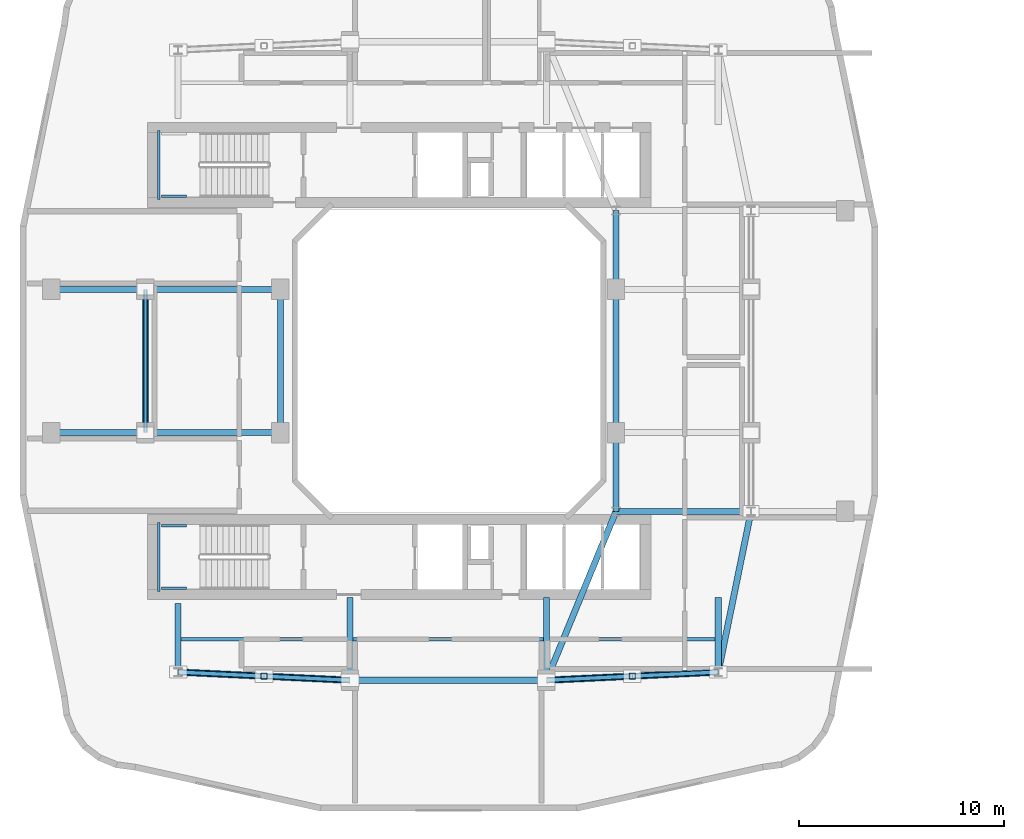
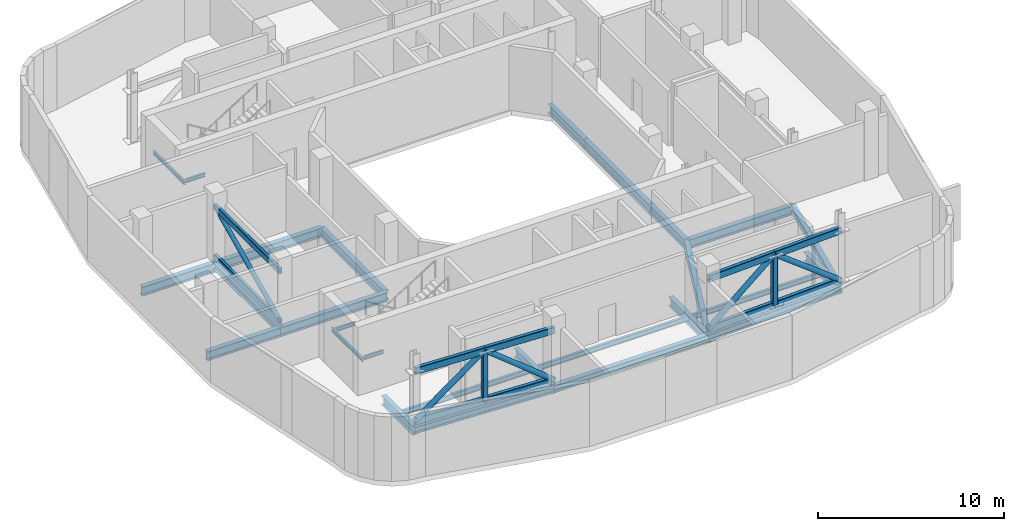
# One storey, part 3 of 18: 27 beams, 17 members.
"""IFC4 building model written with IfcOpenShell, lengths in metres."""

from ifc_helpers import new_model, si_unit, derived_unit, direction, frame, origin, origin_2d, place, context, subcontext, project, spatial, hollow_rectangle, hollow_circle, i_section, extrude, material, material_profile, profile_set, type_object, element, save


model = new_model("IFC4")

# Units and contexts
model_context = context("Model", 3, precision=1e-05, world=origin(), true_north=direction((0.0, 1.0)))
body_context = subcontext(model_context, "Body", "Model", "MODEL_VIEW")
ifc_project = project(units=[si_unit("LENGTHUNIT", "METRE"), si_unit("AREAUNIT", "SQUARE_METRE"), si_unit("VOLUMEUNIT", "CUBIC_METRE"), si_unit("PLANEANGLEUNIT", "RADIAN"), si_unit("MASSUNIT", "GRAM", prefix="KILO"), derived_unit("THERMALTRANSMITTANCEUNIT", [(si_unit("POWERUNIT", "WATT"), 1), (si_unit("LENGTHUNIT", "METRE"), -2), (si_unit("THERMODYNAMICTEMPERATUREUNIT", "KELVIN"), -1)])], contexts=[model_context])

# Site, building, storey
site_placement = place(None, origin())
site = spatial("IfcSite", under=ifc_project, at=site_placement, CompositionType="ELEMENT")
building_placement = place(site_placement, origin())
building = spatial("IfcBuilding", under=site, at=building_placement, Name="Kivonza Crest Hotel", CompositionType="ELEMENT")
storey_placement = place(building_placement, frame((0.0, 0.0, 90.5)))
storey = spatial("IfcBuildingStorey", under=building, at=storey_placement, Name="L24", CompositionType="ELEMENT", Elevation=90.5)

# Beams
ifc_material = material(Name="Steel S355", Category="steel")
ifc_material_profile_1 = material_profile(ifc_material, i_section(OverallWidth=0.300048828125, OverallDepth=0.449951171875, WebThickness=0.013916015625, FlangeThickness=0.02587890625, FilletRadius=0.027099609375, at=origin_2d()), Name="HEB 450")
ifc_profile_set_1 = profile_set([ifc_material_profile_1], Name="Steel S355")
beam_type_1 = type_object("IfcBeamType", Name="BM-HEB450", PredefinedType="SPANDREL", material=ifc_profile_set_1)
beam_1_placement = place(storey_placement, frame((16.199951171875, 9.39990234375, -0.544921875), z_axis=(1.0, 0.0, 0.0), x_axis=(0.0, 1.0, 0.0)))
element("IfcBeam", 1, at=beam_1_placement, inside=storey, type_object=beam_type_1, Name="Tower T1 L24 perimeter spandrel S1-S2", PredefinedType="SPANDREL", context=body_context, shape_type="SweptSolid", body=[
    extrude(i_section(OverallWidth=0.300048828125, OverallDepth=0.449951171875, WebThickness=0.013916015625, FlangeThickness=0.02587890625, FilletRadius=0.027099609375, at=origin_2d()), origin(), (0.0, 0.0, 1.0), 9.60009765625),
])
beam_2_placement = place(storey_placement, frame((25.800048828125, 9.39990234375, -0.544921875), z_axis=(0.998867283688, 0.047583080799, 0.0), x_axis=(-0.047583080799, 0.998867283688, 0.0)))
element("IfcBeam", 2, at=beam_2_placement, inside=storey, type_object=beam_type_1, Name="Tower T1 L24 perimeter spandrel S2-SE", PredefinedType="SPANDREL", context=body_context, shape_type="SweptSolid", body=[
    extrude(i_section(OverallWidth=0.300048828125, OverallDepth=0.449951171875, WebThickness=0.013916015625, FlangeThickness=0.02587890625, FilletRadius=0.027099609375, at=origin_2d()), origin(), (0.0, 0.0, 1.0), 8.409423828125),
])
beam_3_placement = place(storey_placement, frame((34.199951171875, 9.800048828125, -0.544921875), z_axis=(0.199730733965, 0.979850822273, 0.0), x_axis=(-0.979850822273, 0.199730733965, 0.0)))
element("IfcBeam", 3, at=beam_3_placement, inside=storey, type_object=beam_type_1, Name="Tower T1 L24 perimeter spandrel SE-PSE", PredefinedType="SPANDREL", context=body_context, shape_type="SweptSolid", body=[
    extrude(i_section(OverallWidth=0.300048828125, OverallDepth=0.449951171875, WebThickness=0.013916015625, FlangeThickness=0.02587890625, FilletRadius=0.027099609375, at=origin_2d()), origin(), (0.0, 0.0, 1.0), 8.01123046875),
])
beam_4_placement = place(storey_placement, frame((6.199951171875, 28.5, -0.544921875), z_axis=(0.0, -1.0, 0.0), x_axis=(1.0, 0.0, 0.0)))
element("IfcBeam", 4, at=beam_4_placement, inside=storey, type_object=beam_type_1, Name="Tower T1 L24 perimeter spandrel W2-W1", PredefinedType="SPANDREL", context=body_context, shape_type="SweptSolid", body=[
    extrude(i_section(OverallWidth=0.300048828125, OverallDepth=0.449951171875, WebThickness=0.013916015625, FlangeThickness=0.02587890625, FilletRadius=0.027099609375, at=origin_2d()), origin(), (0.0, 0.0, 1.0), 7.0),
])
beam_5_placement = place(storey_placement, frame((7.800048828125, 9.800048828125, -0.544921875), z_axis=(0.998867283688, -0.047583080799, 0.0), x_axis=(0.047583080799, 0.998867283688, 0.0)))
element("IfcBeam", 5, at=beam_5_placement, inside=storey, type_object=beam_type_1, Name="Tower T1 L24 perimeter spandrel SW-S1", PredefinedType="SPANDREL", context=body_context, shape_type="SweptSolid", body=[
    extrude(i_section(OverallWidth=0.300048828125, OverallDepth=0.449951171875, WebThickness=0.013916015625, FlangeThickness=0.02587890625, FilletRadius=0.027099609375, at=origin_2d()), origin(), (0.0, 0.0, 1.0), 8.409423828125),
])
ifc_material_profile_2 = material_profile(ifc_material, i_section(OverallWidth=0.300048828125, OverallDepth=0.60009765625, WebThickness=0.015380859375, FlangeThickness=0.030029296875, FilletRadius=0.027099609375, at=origin_2d()), Name="HEB 600")
ifc_profile_set_2 = profile_set([ifc_material_profile_2], Name="Steel S355")
beam_type_2 = type_object("IfcBeamType", Name="BM-HEB600", PredefinedType="BEAM", material=ifc_profile_set_2)
for number, where, z_axis, x_axis, name in (
    (6, (6.199951171875, 21.5, -0.6201171875), (1.0, 0.0, 0.0), (0.0, 1.0, 0.0), "Tower T1 L24 primary girder W1-WL1"),
    (7, (6.199951171875, 28.5, -0.6201171875), (1.0, 0.0, 0.0), (0.0, 1.0, 0.0), "Tower T1 L24 primary girder W2-WL2"),
):
    element("IfcBeam", number, at=place(storey_placement, frame(where, z_axis=z_axis, x_axis=x_axis)), inside=storey, type_object=beam_type_2, Name=name, PredefinedType="BEAM", context=body_context, shape_type="SweptSolid", body=[
        extrude(i_section(OverallWidth=0.300048828125, OverallDepth=0.60009765625, WebThickness=0.015380859375, FlangeThickness=0.030029296875, FilletRadius=0.027099609375, at=origin_2d()), origin(), (0.0, 0.0, 1.0), 6.60009765625),
    ])
beam_6_placement = place(storey_placement, frame((12.800048828125, 21.5, -0.6201171875), z_axis=(0.0, 1.0, 0.0), x_axis=(-1.0, 0.0, 0.0)))
element("IfcBeam", 8, at=beam_6_placement, inside=storey, type_object=beam_type_2, Name="Tower T1 L24 primary girder WL1-WL2", PredefinedType="BEAM", context=body_context, shape_type="SweptSolid", body=[
    extrude(i_section(OverallWidth=0.300048828125, OverallDepth=0.60009765625, WebThickness=0.015380859375, FlangeThickness=0.030029296875, FilletRadius=0.027099609375, at=origin_2d()), origin(), (0.0, 0.0, 1.0), 7.0),
])
beam_7_placement = place(storey_placement, frame((25.800048828125, 9.39990234375, -0.6201171875), z_axis=(0.381022260404, 0.924565864109, 0.0), x_axis=(-0.924565864109, 0.381022260404, 0.0)))
element("IfcBeam", 9, at=beam_7_placement, inside=storey, type_object=beam_type_2, Name="Tower T1 L24 primary girder S1-TSE", PredefinedType="BEAM", context=body_context, shape_type="SweptSolid", body=[
    extrude(i_section(OverallWidth=0.300048828125, OverallDepth=0.60009765625, WebThickness=0.015380859375, FlangeThickness=0.030029296875, FilletRadius=0.027099609375, at=origin_2d()), origin(), (0.0, 0.0, 1.0), 8.923095703125),
])
beam_8_placement = place(storey_placement, frame((29.199951171875, 17.64990234375, -0.6201171875), z_axis=(1.0, 0.0, 0.0), x_axis=(0.0, 1.0, 0.0)))
element("IfcBeam", 10, at=beam_8_placement, inside=storey, type_object=beam_type_2, Name="Tower T1 L24 primary girder TSE-PSE", PredefinedType="BEAM", context=body_context, shape_type="SweptSolid", body=[
    extrude(i_section(OverallWidth=0.300048828125, OverallDepth=0.60009765625, WebThickness=0.015380859375, FlangeThickness=0.030029296875, FilletRadius=0.027099609375, at=origin_2d()), origin(), (0.0, 0.0, 1.0), 6.60009765625),
])
beam_9_placement = place(storey_placement, frame((29.199951171875, 21.5, -0.6201171875), z_axis=(0.0, 1.0, 0.0), x_axis=(-1.0, 0.0, 0.0)))
element("IfcBeam", 11, at=beam_9_placement, inside=storey, type_object=beam_type_2, Name="Tower T1 L24 primary girder WR1-WR2", PredefinedType="BEAM", context=body_context, shape_type="SweptSolid", body=[
    extrude(i_section(OverallWidth=0.300048828125, OverallDepth=0.60009765625, WebThickness=0.015380859375, FlangeThickness=0.030029296875, FilletRadius=0.027099609375, at=origin_2d()), origin(), (0.0, 0.0, 1.0), 7.0),
])
for number, where, z_axis, x_axis, name in (
    (12, (29.199951171875, 17.64990234375, -0.6201171875), (0.0, 1.0, 0.0), (-1.0, 0.0, 0.0), "Tower T1 L24 primary girder TSE-WR1"),
    (13, (29.199951171875, 28.5, -0.6201171875), (0.0, 1.0, 0.0), (-1.0, 0.0, 0.0), "Tower T1 L24 primary girder WR2-TNE"),
):
    element("IfcBeam", number, at=place(storey_placement, frame(where, z_axis=z_axis, x_axis=x_axis)), inside=storey, type_object=beam_type_2, Name=name, PredefinedType="BEAM", context=body_context, shape_type="SweptSolid", body=[
        extrude(i_section(OverallWidth=0.300048828125, OverallDepth=0.60009765625, WebThickness=0.015380859375, FlangeThickness=0.030029296875, FilletRadius=0.027099609375, at=origin_2d()), origin(), (0.0, 0.0, 1.0), 3.85009765625),
    ])
for number, where, z_axis, x_axis, name in (
    (14, (1.60009765625, 21.5, -0.6201171875), (1.0, 0.0, 0.0), (0.0, 1.0, 0.0), "Tower T1 L24 outer bay girder ZW1"),
    (15, (1.60009765625, 28.5, -0.6201171875), (1.0, 0.0, 0.0), (0.0, 1.0, 0.0), "Tower T1 L24 outer bay girder ZW2"),
):
    element("IfcBeam", number, at=place(storey_placement, frame(where, z_axis=z_axis, x_axis=x_axis)), inside=storey, type_object=beam_type_2, Name=name, PredefinedType="BEAM", context=body_context, shape_type="SweptSolid", body=[
        extrude(i_section(OverallWidth=0.300048828125, OverallDepth=0.60009765625, WebThickness=0.015380859375, FlangeThickness=0.030029296875, FilletRadius=0.027099609375, at=origin_2d()), origin(), (0.0, 0.0, 1.0), 4.599853515625),
    ])
beam_10_placement = place(storey_placement, frame((7.800048828125, 9.800048828125, -0.6201171875), z_axis=(0.0, 1.0, 0.0), x_axis=(-1.0, 0.0, 0.0)))
element("IfcBeam", 16, at=beam_10_placement, inside=storey, type_object=beam_type_2, Name="Tower T1 L24 radial core girder RSW", PredefinedType="BEAM", context=body_context, shape_type="SweptSolid", body=[
    extrude(i_section(OverallWidth=0.300048828125, OverallDepth=0.60009765625, WebThickness=0.015380859375, FlangeThickness=0.030029296875, FilletRadius=0.027099609375, at=origin_2d()), origin(), (0.0, 0.0, 1.0), 3.349853515625),
])
for number, where, z_axis, x_axis, name in (
    (17, (16.199951171875, 9.39990234375, -0.6201171875), (0.0, 1.0, 0.0), (-1.0, 0.0, 0.0), "Tower T1 L24 radial core girder RS1"),
    (18, (25.800048828125, 9.39990234375, -0.6201171875), (0.0, 1.0, 0.0), (-1.0, 0.0, 0.0), "Tower T1 L24 radial core girder RS2"),
):
    element("IfcBeam", number, at=place(storey_placement, frame(where, z_axis=z_axis, x_axis=x_axis)), inside=storey, type_object=beam_type_2, Name=name, PredefinedType="BEAM", context=body_context, shape_type="SweptSolid", body=[
        extrude(i_section(OverallWidth=0.300048828125, OverallDepth=0.60009765625, WebThickness=0.015380859375, FlangeThickness=0.030029296875, FilletRadius=0.027099609375, at=origin_2d()), origin(), (0.0, 0.0, 1.0), 4.050048828125),
    ])
beam_11_placement = place(storey_placement, frame((34.199951171875, 9.800048828125, -0.6201171875), z_axis=(0.0, 1.0, 0.0), x_axis=(-1.0, 0.0, 0.0)))
element("IfcBeam", 19, at=beam_11_placement, inside=storey, type_object=beam_type_2, Name="Tower T1 L24 radial core girder RSE", PredefinedType="BEAM", context=body_context, shape_type="SweptSolid", body=[
    extrude(i_section(OverallWidth=0.300048828125, OverallDepth=0.60009765625, WebThickness=0.015380859375, FlangeThickness=0.030029296875, FilletRadius=0.027099609375, at=origin_2d()), origin(), (0.0, 0.0, 1.0), 3.64990234375),
])
ifc_material_profile_3 = material_profile(ifc_material, i_section(OverallWidth=0.159912109375, OverallDepth=0.330078125, WebThickness=0.007568359375, FlangeThickness=0.011474609375, FilletRadius=0.01806640625, at=origin_2d()), Name="IPE 330")
ifc_profile_set_3 = profile_set([ifc_material_profile_3], Name="Steel S355")
beam_type_3 = type_object("IfcBeamType", Name="BM-IPE330", PredefinedType="JOIST", material=ifc_profile_set_3)
beam_12_placement = place(storey_placement, frame((7.8798828125, 11.39990234375, -0.485107421875), z_axis=(1.0, 0.0, 0.0), x_axis=(0.0, 1.0, 0.0)))
element("IfcBeam", 20, at=beam_12_placement, inside=storey, type_object=beam_type_3, Name="Tower T1 L24 South-West floor joist", PredefinedType="JOIST", context=body_context, shape_type="SweptSolid", body=[
    extrude(i_section(OverallWidth=0.159912109375, OverallDepth=0.330078125, WebThickness=0.007568359375, FlangeThickness=0.011474609375, FilletRadius=0.01806640625, at=origin_2d()), origin(), (0.0, 0.0, 1.0), 8.240234375),
])
beam_13_placement = place(storey_placement, frame((16.280029296875, 11.39990234375, -0.485107421875), z_axis=(1.0, 0.0, 0.0), x_axis=(0.0, 1.0, 0.0)))
element("IfcBeam", 21, at=beam_13_placement, inside=storey, type_object=beam_type_3, Name="Tower T1 L24 South-Mid floor joist", PredefinedType="JOIST", context=body_context, shape_type="SweptSolid", body=[
    extrude(i_section(OverallWidth=0.159912109375, OverallDepth=0.330078125, WebThickness=0.007568359375, FlangeThickness=0.011474609375, FilletRadius=0.01806640625, at=origin_2d()), origin(), (0.0, 0.0, 1.0), 9.43994140625),
])
beam_14_placement = place(storey_placement, frame((25.8798828125, 11.39990234375, -0.485107421875), z_axis=(1.0, 0.0, 0.0), x_axis=(0.0, 1.0, 0.0)))
element("IfcBeam", 22, at=beam_14_placement, inside=storey, type_object=beam_type_3, Name="Tower T1 L24 South-East floor joist", PredefinedType="JOIST", context=body_context, shape_type="SweptSolid", body=[
    extrude(i_section(OverallWidth=0.159912109375, OverallDepth=0.330078125, WebThickness=0.007568359375, FlangeThickness=0.011474609375, FilletRadius=0.01806640625, at=origin_2d()), origin(), (0.0, 0.0, 1.0), 8.240234375),
])
ifc_material_profile_4 = material_profile(ifc_material, i_section(OverallWidth=0.1201171875, OverallDepth=0.239990234375, WebThickness=0.006103515625, FlangeThickness=0.009765625, FilletRadius=0.014892578125, at=origin_2d()), Name="IPE 240")
ifc_profile_set_4 = profile_set([ifc_material_profile_4], Name="Steel S355")
beam_type_4 = type_object("IfcBeamType", Name="BM-LLDG-240", PredefinedType="BEAM", material=ifc_profile_set_4)
beam_15_placement = place(storey_placement, frame((6.860107421875, 32.89990234375, 1.929931640625), z_axis=(0.0, 1.0, 0.0), x_axis=(-1.0, 0.0, 0.0)))
element("IfcBeam", 23, at=beam_15_placement, inside=storey, type_object=beam_type_4, Name="Stair ST-T1-N L24 West landing corbel", PredefinedType="BEAM", context=body_context, shape_type="SweptSolid", body=[
    extrude(i_section(OverallWidth=0.1201171875, OverallDepth=0.239990234375, WebThickness=0.006103515625, FlangeThickness=0.009765625, FilletRadius=0.014892578125, at=origin_2d()), origin(), (0.0, 0.0, 1.0), 3.360107421875),
])
beam_16_placement = place(storey_placement, frame((6.989990234375, 33.06005859375, 1.929931640625), z_axis=(1.0, 0.0, 0.0), x_axis=(0.0, 1.0, 0.0)))
element("IfcBeam", 24, at=beam_16_placement, inside=storey, type_object=beam_type_4, Name="Stair ST-T1-N L24 South landing corbel", PredefinedType="BEAM", context=body_context, shape_type="SweptSolid", body=[
    extrude(i_section(OverallWidth=0.1201171875, OverallDepth=0.239990234375, WebThickness=0.006103515625, FlangeThickness=0.009765625, FilletRadius=0.014892578125, at=origin_2d()), origin(), (0.0, 0.0, 1.0), 1.2099609375),
])
beam_17_placement = place(storey_placement, frame((6.860107421875, 13.739990234375, 1.929931640625), z_axis=(0.0, 1.0, 0.0), x_axis=(-1.0, 0.0, 0.0)))
element("IfcBeam", 25, at=beam_17_placement, inside=storey, type_object=beam_type_4, Name="Stair ST-T1-S L24 West landing corbel", PredefinedType="BEAM", context=body_context, shape_type="SweptSolid", body=[
    extrude(i_section(OverallWidth=0.1201171875, OverallDepth=0.239990234375, WebThickness=0.006103515625, FlangeThickness=0.009765625, FilletRadius=0.014892578125, at=origin_2d()), origin(), (0.0, 0.0, 1.0), 3.360107421875),
])
for number, where, z_axis, x_axis, name in (
    (26, (6.989990234375, 13.89990234375, 1.929931640625), (1.0, 0.0, 0.0), (0.0, 1.0, 0.0), "Stair ST-T1-S L24 South landing corbel"),
    (27, (6.989990234375, 16.93994140625, 1.929931640625), (1.0, 0.0, 0.0), (0.0, 1.0, 0.0), "Stair ST-T1-S L24 North landing corbel"),
):
    element("IfcBeam", number, at=place(storey_placement, frame(where, z_axis=z_axis, x_axis=x_axis)), inside=storey, type_object=beam_type_4, Name=name, PredefinedType="BEAM", context=body_context, shape_type="SweptSolid", body=[
        extrude(i_section(OverallWidth=0.1201171875, OverallDepth=0.239990234375, WebThickness=0.006103515625, FlangeThickness=0.009765625, FilletRadius=0.014892578125, at=origin_2d()), origin(), (0.0, 0.0, 1.0), 1.2099609375),
    ])

# Members
ifc_material_profile_5 = material_profile(ifc_material, hollow_circle(Radius=0.136474609375, WallThickness=0.012451171875, at=origin_2d()), Name="CHS 273x12.5")
ifc_profile_set_5 = profile_set([ifc_material_profile_5], Name="Steel S355")
member_type_1 = type_object("IfcMemberType", Name="MB-BRACE-CHS273", PredefinedType="BRACE", material=ifc_profile_set_5)
member_placement = place(storey_placement, frame((6.199951171875, 21.5, 0.0), z_axis=(0.0, 0.90452320938, 0.426424393875), x_axis=(-1.0, 0.0, 0.0)))
element("IfcMember", 28, at=member_placement, inside=storey, type_object=member_type_1, Name="Belt truss L24 W diagonal brace 1", PredefinedType="BRACE", context=body_context, shape_type="SweptSolid", body=[
    extrude(hollow_circle(Radius=0.136474609375, WallThickness=0.012451171875, at=origin_2d()), origin(), (0.0, 0.0, 1.0), 7.73876953125),
])
ifc_material_profile_6 = material_profile(ifc_material, hollow_circle(Radius=0.161865234375, WallThickness=0.01611328125, at=origin_2d()), Name="CHS 323.9x16")
ifc_profile_set_6 = profile_set([ifc_material_profile_6], Name="Steel S355")
member_type_2 = type_object("IfcMemberType", Name="MB-BRACE-CHS324", PredefinedType="BRACE", material=ifc_profile_set_6)
for number, where, z_axis, x_axis, name in (
    (29, (16.199951171875, 9.39990234375, 0.0), (-0.785758694228, 0.037454056227, 0.617398143921), (-0.047612046782, -0.998865903413, 0.0), "Outrigger truss L24 SW diagonal brace 1"),
    (30, (12.0, 9.60009765625, 3.300048828125), (-0.78576003764, 0.037408444505, -0.617399199487), (-0.047554114695, -0.998868663126, 0.0), "Outrigger truss L24 SW diagonal brace 2"),
    (31, (25.800048828125, 9.39990234375, 0.0), (0.785758694228, 0.037454056227, 0.617398143921), (-0.047612046782, 0.998865903413, 0.0), "Outrigger truss L24 SE diagonal brace 1"),
    (32, (30.0, 9.60009765625, 3.300048828125), (0.78576003764, 0.037408444505, -0.617399199487), (-0.047554114695, 0.998868663126, 0.0), "Outrigger truss L24 SE diagonal brace 2"),
):
    element("IfcMember", number, at=place(storey_placement, frame(where, z_axis=z_axis, x_axis=x_axis)), inside=storey, type_object=member_type_2, Name=name, PredefinedType="BRACE", context=body_context, shape_type="SweptSolid", body=[
        extrude(hollow_circle(Radius=0.161865234375, WallThickness=0.01611328125, at=origin_2d()), origin(), (0.0, 0.0, 1.0), 5.344970703125),
    ])
ifc_material_profile_7 = material_profile(ifc_material, hollow_rectangle(XDim=0.199951171875, YDim=0.39990234375, WallThickness=0.01611328125, InnerFilletRadius=0.02392578125, OuterFilletRadius=0.0400390625, at=origin_2d()), Name="RHS 400x200x16")
ifc_profile_set_7 = profile_set([ifc_material_profile_7], Name="Steel S355")
member_type_3 = type_object("IfcMemberType", Name="MB-CHORD-RHS400", PredefinedType="CHORD", material=ifc_profile_set_7)
for number, where, z_axis, x_axis, name in (
    (33, (6.199951171875, 21.5, 0.0), (0.0, 1.0, 0.0), (-1.0, 0.0, 0.0), "Belt truss L24 W bottom chord 1"),
    (34, (6.199951171875, 21.5, 3.300048828125), (0.0, 1.0, 0.0), (-1.0, 0.0, 0.0), "Belt truss L24 W top chord 1"),
):
    element("IfcMember", number, at=place(storey_placement, frame(where, z_axis=z_axis, x_axis=x_axis)), inside=storey, type_object=member_type_3, Name=name, PredefinedType="CHORD", context=body_context, shape_type="SweptSolid", body=[
        extrude(hollow_rectangle(XDim=0.199951171875, YDim=0.39990234375, WallThickness=0.01611328125, InnerFilletRadius=0.02392578125, OuterFilletRadius=0.0400390625, at=origin_2d()), origin(), (0.0, 0.0, 1.0), 7.0),
    ])
ifc_material_profile_8 = material_profile(ifc_material, hollow_rectangle(XDim=0.25, YDim=0.449951171875, WallThickness=0.01611328125, InnerFilletRadius=0.02392578125, OuterFilletRadius=0.0400390625, at=origin_2d()), Name="RHS 450x250x16")
ifc_profile_set_8 = profile_set([ifc_material_profile_8], Name="Steel S355")
member_type_4 = type_object("IfcMemberType", Name="MB-CHORD-RHS450", PredefinedType="CHORD", material=ifc_profile_set_8)
for number, where, z_axis, x_axis, name in (
    (35, (16.199951171875, 9.39990234375, 0.0), (-0.998865903413, 0.047612046782, 0.0), (-0.047612046782, -0.998865903413, 0.0), "Outrigger truss L24 SW bottom chord 1"),
    (36, (16.199951171875, 9.39990234375, 3.300048828125), (-0.998865903413, 0.047612046782, 0.0), (-0.047612046782, -0.998865903413, 0.0), "Outrigger truss L24 SW top chord 1"),
):
    element("IfcMember", number, at=place(storey_placement, frame(where, z_axis=z_axis, x_axis=x_axis)), inside=storey, type_object=member_type_4, Name=name, PredefinedType="CHORD", context=body_context, shape_type="SweptSolid", body=[
        extrude(hollow_rectangle(XDim=0.25, YDim=0.449951171875, WallThickness=0.01611328125, InnerFilletRadius=0.02392578125, OuterFilletRadius=0.0400390625, at=origin_2d()), origin(), (0.0, 0.0, 1.0), 4.204833984375),
    ])
for number, where, z_axis, x_axis, name in (
    (37, (12.0, 9.60009765625, 0.0), (-0.998868663126, 0.047554114695, 0.0), (-0.047554114695, -0.998868663126, 0.0), "Outrigger truss L24 SW bottom chord 2"),
    (38, (12.0, 9.60009765625, 3.300048828125), (-0.998868663126, 0.047554114695, 0.0), (-0.047554114695, -0.998868663126, 0.0), "Outrigger truss L24 SW top chord 2"),
):
    element("IfcMember", number, at=place(storey_placement, frame(where, z_axis=z_axis, x_axis=x_axis)), inside=storey, type_object=member_type_4, Name=name, PredefinedType="CHORD", context=body_context, shape_type="SweptSolid", body=[
        extrude(hollow_rectangle(XDim=0.25, YDim=0.449951171875, WallThickness=0.01611328125, InnerFilletRadius=0.02392578125, OuterFilletRadius=0.0400390625, at=origin_2d()), origin(), (0.0, 0.0, 1.0), 4.20458984375),
    ])
for number, where, z_axis, x_axis, name in (
    (39, (25.800048828125, 9.39990234375, 0.0), (0.998865903413, 0.047612046782, 0.0), (-0.047612046782, 0.998865903413, 0.0), "Outrigger truss L24 SE bottom chord 1"),
    (40, (25.800048828125, 9.39990234375, 3.300048828125), (0.998865903413, 0.047612046782, 0.0), (-0.047612046782, 0.998865903413, 0.0), "Outrigger truss L24 SE top chord 1"),
):
    element("IfcMember", number, at=place(storey_placement, frame(where, z_axis=z_axis, x_axis=x_axis)), inside=storey, type_object=member_type_4, Name=name, PredefinedType="CHORD", context=body_context, shape_type="SweptSolid", body=[
        extrude(hollow_rectangle(XDim=0.25, YDim=0.449951171875, WallThickness=0.01611328125, InnerFilletRadius=0.02392578125, OuterFilletRadius=0.0400390625, at=origin_2d()), origin(), (0.0, 0.0, 1.0), 4.204833984375),
    ])
for number, where, z_axis, x_axis, name in (
    (41, (30.0, 9.60009765625, 0.0), (0.998868663126, 0.047554114695, 0.0), (-0.047554114695, 0.998868663126, 0.0), "Outrigger truss L24 SE bottom chord 2"),
    (42, (30.0, 9.60009765625, 3.300048828125), (0.998868663126, 0.047554114695, 0.0), (-0.047554114695, 0.998868663126, 0.0), "Outrigger truss L24 SE top chord 2"),
):
    element("IfcMember", number, at=place(storey_placement, frame(where, z_axis=z_axis, x_axis=x_axis)), inside=storey, type_object=member_type_4, Name=name, PredefinedType="CHORD", context=body_context, shape_type="SweptSolid", body=[
        extrude(hollow_rectangle(XDim=0.25, YDim=0.449951171875, WallThickness=0.01611328125, InnerFilletRadius=0.02392578125, OuterFilletRadius=0.0400390625, at=origin_2d()), origin(), (0.0, 0.0, 1.0), 4.20458984375),
    ])
ifc_material_profile_9 = material_profile(ifc_material, hollow_rectangle(XDim=0.300048828125, YDim=0.300048828125, WallThickness=0.01611328125, InnerFilletRadius=0.02392578125, OuterFilletRadius=0.0400390625, at=origin_2d()), Name="SHS 300x300x16")
ifc_profile_set_9 = profile_set([ifc_material_profile_9], Name="Steel S355")
member_type_5 = type_object("IfcMemberType", Name="MB-POST-SHS300", PredefinedType="POST", material=ifc_profile_set_9)
for number, where, z_axis, x_axis, name in (
    (43, (12.0, 9.60009765625, 0.0), (0.0, 0.0, 1.0), (1.0, 0.0, 0.0), "Outrigger truss L24 SW vertical post 2"),
    (44, (30.0, 9.60009765625, 0.0), (0.0, 0.0, 1.0), (1.0, 0.0, 0.0), "Outrigger truss L24 SE vertical post 2"),
):
    element("IfcMember", number, at=place(storey_placement, frame(where, z_axis=z_axis, x_axis=x_axis)), inside=storey, type_object=member_type_5, Name=name, PredefinedType="POST", context=body_context, shape_type="SweptSolid", body=[
        extrude(hollow_rectangle(XDim=0.300048828125, YDim=0.300048828125, WallThickness=0.01611328125, InnerFilletRadius=0.02392578125, OuterFilletRadius=0.0400390625, at=origin_2d()), origin(), (0.0, 0.0, 1.0), 3.300048828125),
    ])

save(model, "model.ifc")
